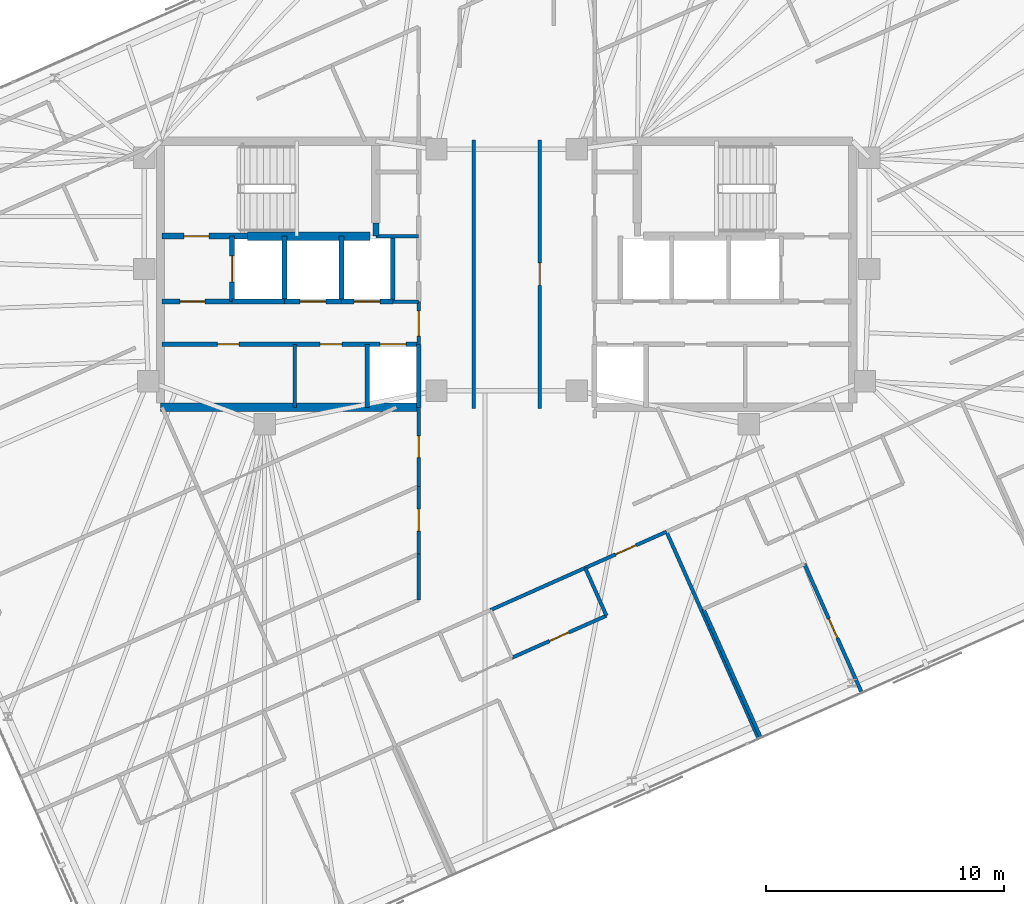
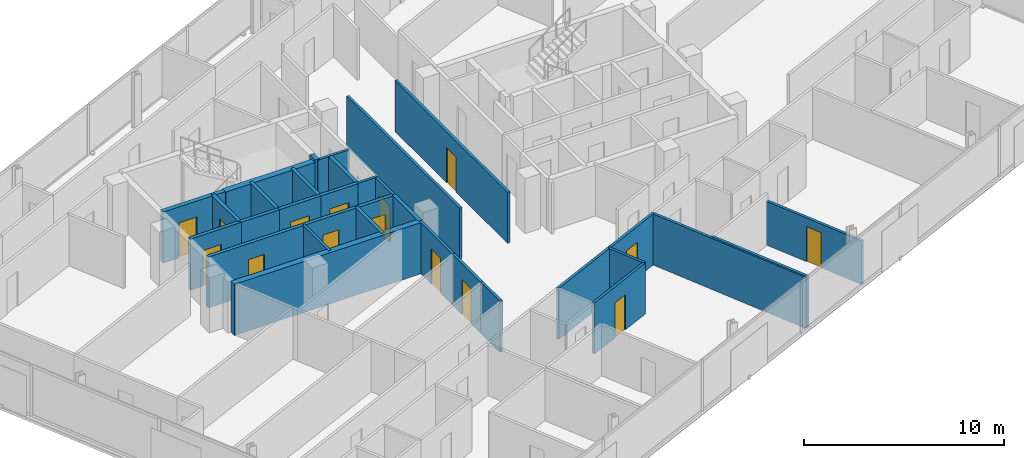
# One storey, part 14 of 19: 31 walls, 15 doors, 15 openings.
"""IFC4 building model written with IfcOpenShell, lengths in metres."""

from ifc_helpers import new_model, si_unit, direction, frame, frame_2d, origin, place, context, subcontext, project, spatial, rectangle, extrude, material, layer, layer_set, type_object, element, fill, save


model = new_model("IFC4")

# Units and contexts
model_context = context("Model", 3, precision=1e-05, world=origin(), true_north=direction((0.0, 1.0)))
body_context = subcontext(model_context, "Body", "Model", "MODEL_VIEW")
ifc_project = project(units=[si_unit("LENGTHUNIT", "METRE"), si_unit("AREAUNIT", "SQUARE_METRE"), si_unit("VOLUMEUNIT", "CUBIC_METRE"), si_unit("PLANEANGLEUNIT", "RADIAN"), si_unit("MASSUNIT", "GRAM", prefix="KILO")], contexts=[model_context])

# Site, building, storey
site_placement = place(None, origin())
site = spatial("IfcSite", under=ifc_project, at=site_placement, CompositionType="ELEMENT")
building_placement = place(site_placement, origin())
building = spatial("IfcBuilding", under=site, at=building_placement, Name="Menara Jurai Vektor", CompositionType="ELEMENT")
storey_placement = place(building_placement, frame((0.0, 0.0, 295.300048828125)))
storey = spatial("IfcBuildingStorey", under=building, at=storey_placement, Name="L79", CompositionType="ELEMENT", Elevation=295.300048828125)

# Wall, opening, door
ifc_material_1 = material(Name="Concrete C40/50", Category="concrete")
ifc_layer_1 = layer(ifc_material_1, 0.25)
ifc_layer_set_1 = layer_set([ifc_layer_1], Name="Concrete C40/50")
wall_type_1 = type_object("IfcWallType", Name="INT-WALL-CORE-250", PredefinedType="STANDARD", material=ifc_layer_set_1)
wall_1_placement = place(storey_placement, frame((-14.5, 1.60009765625, 0.0), z_axis=(0.0, 0.0, 1.0), x_axis=(1.0, 0.0, 0.0)))
wall_1 = element("IfcWall", 1, at=wall_1_placement, inside=storey, type_object=wall_type_1, Name="Interior Wall IW-250 L79", PredefinedType="STANDARD", context=body_context, shape_type="SweptSolid", body=[
    extrude(rectangle(XDim=3.60009765625, YDim=0.25, at=frame_2d((1.800048828125, 0.0))), origin(), (0.0, 0.0, 1.0), 3.125),
])
opening_1_placement = place(wall_1_placement, frame((0.919921875, 0.0, 0.0)))
opening_1 = element("IfcOpeningElement", 2, at=opening_1_placement, cuts=wall_1, Name="Opening D-L79-ST1", PredefinedType="OPENING", context=body_context, shape_type="SweptSolid", body=[
    extrude(rectangle(XDim=1.050048828125, YDim=2.14990234375, at=frame_2d((0.52490234375, 1.074951171875))), frame((0.0, 0.135009765625, 0.0), z_axis=(0.0, -1.0, 0.0), x_axis=(1.0, 0.0, 0.0)), (0.0, 0.0, 1.0), 0.27001953125),
])
ifc_material_2 = material(Name="Fire-Rated Steel Door", Category="steel")
door_type_1 = type_object("IfcDoorType", Name="DR-STAIR-1050", OperationType="NOTDEFINED", PredefinedType="DOOR", material=ifc_material_2)
door_1_placement = place(opening_1_placement, origin())
door_1 = element("IfcDoor", 3, at=door_1_placement, inside=storey, type_object=door_type_1, Name="Exit Stair ST1 Door L79", OperationType="SINGLE_SWING_RIGHT", OverallHeight=2.14990234375, OverallWidth=1.050048828125, PredefinedType="DOOR", context=body_context, shape_type="SweptSolid", body=[
    extrude(rectangle(XDim=1.050048828125, YDim=2.14990234375, at=frame_2d((0.52490234375, 1.074951171875))), frame((0.0, 0.02490234375, 0.0), z_axis=(0.0, -1.0, 0.0), x_axis=(1.0, 0.0, 0.0)), (0.0, 0.0, 1.0), 0.050048828125),
])
fill(opening_1, door_1)

# Wall
wall_2_placement = place(storey_placement, frame((-5.5, 1.60009765625, 0.0), z_axis=(0.0, 0.0, 1.0), x_axis=(0.0, 1.0, 0.0)))
element("IfcWall", 4, at=wall_2_placement, inside=storey, type_object=wall_type_1, Name="Interior Wall IW-250 L79", PredefinedType="STANDARD", context=body_context, shape_type="SweptSolid", body=[
    extrude(rectangle(XDim=0.5498046875, YDim=0.25, at=frame_2d((0.27490234375, 0.0))), origin(), (0.0, 0.0, 1.0), 3.125),
])

# Wall, opening, door
wall_3_placement = place(storey_placement, frame((-11.550048828125, -1.14990234375, 0.0), z_axis=(0.0, 0.0, 1.0), x_axis=(0.0, 1.0, 0.0)))
wall_3 = element("IfcWall", 5, at=wall_3_placement, inside=storey, type_object=wall_type_1, Name="Interior Wall IW-250 L79", PredefinedType="STANDARD", context=body_context, shape_type="SweptSolid", body=[
    extrude(rectangle(XDim=2.75, YDim=0.199951171875, at=frame_2d((1.375, 0.0))), origin(), (0.0, 0.0, 1.0), 3.125),
])
opening_2_placement = place(wall_3_placement, frame((0.824951171875, 0.0, 0.0)))
opening_2 = element("IfcOpeningElement", 6, at=opening_2_placement, cuts=wall_3, Name="Opening LD-L79-FL1", PredefinedType="OPENING", context=body_context, shape_type="SweptSolid", body=[
    extrude(rectangle(XDim=1.10009765625, YDim=2.14990234375, at=frame_2d((0.550048828125, 1.074951171875))), frame((0.0, 0.10986328125, 0.0), z_axis=(0.0, -1.0, 0.0), x_axis=(1.0, 0.0, 0.0)), (0.0, 0.0, 1.0), 0.219970703125),
])
ifc_material_3 = material(Name="Stainless Steel Sliding Lift Landing Door", Category="steel")
door_type_2 = type_object("IfcDoorType", Name="DR-LIFT-FIRE-1100", OperationType="NOTDEFINED", PredefinedType="DOOR", material=ifc_material_3)
door_2_placement = place(opening_2_placement, origin())
door_2 = element("IfcDoor", 7, at=door_2_placement, inside=storey, type_object=door_type_2, Name="Lift Landing Door FL1 L79", OperationType="SLIDING_TO_RIGHT", OverallHeight=2.14990234375, OverallWidth=1.10009765625, PredefinedType="DOOR", context=body_context, shape_type="SweptSolid", body=[
    extrude(rectangle(XDim=1.10009765625, YDim=2.14990234375, at=frame_2d((0.550048828125, 1.074951171875))), frame((0.0, 0.02490234375, 0.0), z_axis=(0.0, -1.0, 0.0), x_axis=(1.0, 0.0, 0.0)), (0.0, 0.0, 1.0), 0.050048828125),
])
fill(opening_2, door_2)

# Wall
wall_4_placement = place(storey_placement, frame((-9.35009765625, -1.14990234375, 0.0), z_axis=(0.0, 0.0, 1.0), x_axis=(0.0, 1.0, 0.0)))
element("IfcWall", 8, at=wall_4_placement, inside=storey, type_object=wall_type_1, Name="Interior Wall IW-250 L79", PredefinedType="STANDARD", context=body_context, shape_type="SweptSolid", body=[
    extrude(rectangle(XDim=2.75, YDim=0.199951171875, at=frame_2d((1.375, 0.0))), origin(), (0.0, 0.0, 1.0), 3.125),
])

# Wall, opening, door
wall_5_placement = place(storey_placement, frame((-14.5, -1.14990234375, 0.0), z_axis=(0.0, 0.0, 1.0), x_axis=(1.0, 0.0, 0.0)))
wall_5 = element("IfcWall", 9, at=wall_5_placement, inside=storey, type_object=wall_type_1, Name="Interior Wall IW-250 L79", PredefinedType="STANDARD", context=body_context, shape_type="SweptSolid", body=[
    extrude(rectangle(XDim=2.949951171875, YDim=0.199951171875, at=frame_2d((1.47509765625, 0.0))), origin(), (0.0, 0.0, 1.0), 3.125),
])
opening_3_placement = place(wall_5_placement, frame((0.75, 0.0, 0.0)))
opening_3 = element("IfcOpeningElement", 10, at=opening_3_placement, cuts=wall_5, Name="Opening D-L79-FFW", PredefinedType="OPENING", context=body_context, shape_type="SweptSolid", body=[
    extrude(rectangle(XDim=1.050048828125, YDim=2.179931640625, at=frame_2d((0.52490234375, 1.08984375))), frame((0.0, 0.10986328125, 0.0), z_axis=(0.0, -1.0, 0.0), x_axis=(1.0, 0.0, 0.0)), (0.0, 0.0, 1.0), 0.219970703125),
])
ifc_material_4 = material(Name="Fire-Rated Timber Door", Category="wood")
door_type_3 = type_object("IfcDoorType", Name="DR-LOBBY-1050", OperationType="NOTDEFINED", PredefinedType="DOOR", material=ifc_material_4)
door_3_placement = place(opening_3_placement, origin())
door_3 = element("IfcDoor", 11, at=door_3_placement, inside=storey, type_object=door_type_3, Name="Fire Lift Lobby Door W L79", OperationType="SINGLE_SWING_RIGHT", OverallHeight=2.179931640625, OverallWidth=1.050048828125, PredefinedType="DOOR", context=body_context, shape_type="SweptSolid", body=[
    extrude(rectangle(XDim=1.050048828125, YDim=2.179931640625, at=frame_2d((0.52490234375, 1.08984375))), frame((0.0, 0.02490234375, 0.0), z_axis=(0.0, -1.0, 0.0), x_axis=(1.0, 0.0, 0.0)), (0.0, 0.0, 1.0), 0.050048828125),
])
fill(opening_3, door_3)

# Wall
wall_6_placement = place(storey_placement, frame((-11.550048828125, -1.14990234375, 0.0), z_axis=(0.0, 0.0, 1.0), x_axis=(1.0, 0.0, 0.0)))
element("IfcWall", 12, at=wall_6_placement, inside=storey, type_object=wall_type_1, Name="Interior Wall IW-250 L79", PredefinedType="STANDARD", context=body_context, shape_type="SweptSolid", body=[
    extrude(rectangle(XDim=2.199951171875, YDim=0.199951171875, at=frame_2d((1.10009765625, 0.0))), origin(), (0.0, 0.0, 1.0), 3.125),
])

# Wall, opening, door
ifc_material_5 = material(Name="Gypsum Fireboard Partition", Category="gypsum")
ifc_layer_2 = layer(ifc_material_5, 0.14990234375)
ifc_layer_set_2 = layer_set([ifc_layer_2], Name="Gypsum Fireboard Partition")
wall_type_2 = type_object("IfcWallType", Name="INT-WALL-CORR-150", PredefinedType="PARTITIONING", material=ifc_layer_set_2)
wall_7_placement = place(storey_placement, frame((-3.699951171875, -2.949951171875, 0.0), z_axis=(0.0, 0.0, 1.0), x_axis=(0.0, 1.0, 0.0)))
wall_7 = element("IfcWall", 13, at=wall_7_placement, inside=storey, type_object=wall_type_2, Name="Interior Wall IW-150 L79", PredefinedType="PARTITIONING", context=body_context, shape_type="SweptSolid", body=[
    extrude(rectangle(XDim=1.800048828125, YDim=0.14990234375, at=frame_2d((0.89990234375, 0.0))), origin(), (0.0, 0.0, 1.0), 3.125),
])
opening_4_placement = place(wall_7_placement, frame((0.35009765625, 0.0, 0.0)))
opening_4 = element("IfcOpeningElement", 14, at=opening_4_placement, cuts=wall_7, Name="Opening D-L79-LLW", PredefinedType="OPENING", context=body_context, shape_type="SweptSolid", body=[
    extrude(rectangle(XDim=1.050048828125, YDim=2.179931640625, at=frame_2d((0.52490234375, 1.08984375))), frame((0.0, 0.0849609375, 0.0), z_axis=(0.0, -1.0, 0.0), x_axis=(1.0, 0.0, 0.0)), (0.0, 0.0, 1.0), 0.169921875),
])
door_4_placement = place(opening_4_placement, origin())
door_4 = element("IfcDoor", 15, at=door_4_placement, inside=storey, type_object=door_type_3, Name="Lift Lobby Corridor Door W L79", OperationType="SINGLE_SWING_LEFT", OverallHeight=2.179931640625, OverallWidth=1.050048828125, PredefinedType="DOOR", context=body_context, shape_type="SweptSolid", body=[
    extrude(rectangle(XDim=1.050048828125, YDim=2.179931640625, at=frame_2d((0.52490234375, 1.08984375))), frame((0.0, 0.02490234375, 0.0), z_axis=(0.0, -1.0, 0.0), x_axis=(1.0, 0.0, 0.0)), (0.0, 0.0, 1.0), 0.050048828125),
])
fill(opening_4, door_4)

# Walls
wall_8_placement = place(storey_placement, frame((-4.7900390625, -1.14990234375, 0.0), z_axis=(0.0, 0.0, 1.0), x_axis=(1.0, 0.0, 0.0)))
element("IfcWall", 16, at=wall_8_placement, inside=storey, type_object=wall_type_2, Name="Interior Wall IW-150 L79", PredefinedType="PARTITIONING", context=body_context, shape_type="SweptSolid", body=[
    extrude(rectangle(XDim=1.090087890625, YDim=0.14990234375, at=frame_2d((0.544921875, 0.0))), origin(), (0.0, 0.0, 1.0), 3.125),
])
wall_9_placement = place(storey_placement, frame((-8.919921875, -5.60009765625, 0.0), z_axis=(0.0, 0.0, 1.0), x_axis=(0.0, 1.0, 0.0)))
element("IfcWall", 17, at=wall_9_placement, inside=storey, type_object=wall_type_2, Name="Interior Wall IW-150 L79", PredefinedType="PARTITIONING", context=body_context, shape_type="SweptSolid", body=[
    extrude(rectangle(XDim=2.650146484375, YDim=0.14990234375, at=frame_2d((1.3251953125, 0.0))), origin(), (0.0, 0.0, 1.0), 3.125),
])
wall_10_placement = place(storey_placement, frame((-5.5, 1.60009765625, 0.0), z_axis=(0.0, 0.0, 1.0), x_axis=(1.0, 0.0, 0.0)))
element("IfcWall", 18, at=wall_10_placement, inside=storey, type_object=wall_type_2, Name="Interior Wall IW-150 L79", PredefinedType="PARTITIONING", context=body_context, shape_type="SweptSolid", body=[
    extrude(rectangle(XDim=1.800048828125, YDim=0.14990234375, at=frame_2d((0.89990234375, 0.0))), origin(), (0.0, 0.0, 1.0), 3.125),
])
wall_11_placement = place(storey_placement, frame((-1.390869140625, -5.64990234375, 0.0), z_axis=(0.0, 0.0, 1.0), x_axis=(-2.1605738e-05, 0.999999999767, 0.0)))
element("IfcWall", 19, at=wall_11_placement, inside=storey, type_object=wall_type_2, Name="Interior Wall IW-150 L79", PredefinedType="PARTITIONING", context=body_context, shape_type="SweptSolid", body=[
    extrude(rectangle(XDim=11.2998046875, YDim=0.14990234375, at=frame_2d((5.64990234375, 0.0))), origin(), (0.0, 0.0, 1.0), 3.125),
])

# Wall, opening, door
wall_12_placement = place(storey_placement, frame((1.390869140625, -5.650390625, 0.0), z_axis=(0.0, 0.0, 1.0), x_axis=(4.3206809e-05, 0.999999999067, 0.0)))
wall_12 = element("IfcWall", 20, at=wall_12_placement, inside=storey, type_object=wall_type_2, Name="Interior Wall IW-150 L79", PredefinedType="PARTITIONING", context=body_context, shape_type="SweptSolid", body=[
    extrude(rectangle(XDim=11.301025390625, YDim=0.14990234375, at=frame_2d((5.650390625, 0.0))), origin(), (0.0, 0.0, 1.0), 3.125),
])
opening_5_placement = place(wall_12_placement, frame((5.175537109375, 0.0, 0.0)))
opening_5 = element("IfcOpeningElement", 21, at=opening_5_placement, cuts=wall_12, Name="Opening D79-08", PredefinedType="OPENING", context=body_context, shape_type="SweptSolid", body=[
    extrude(rectangle(XDim=0.949951171875, YDim=2.14990234375, at=frame_2d((0.47509765625, 1.074951171875))), frame((0.0, 0.0849609375, 0.0), z_axis=(0.0, -1.0, 0.0), x_axis=(1.0, 0.0, 0.0)), (0.0, 0.0, 1.0), 0.169921875),
])
ifc_material_6 = material(Name="Solid Core Timber Fire Door", Category="wood")
door_type_4 = type_object("IfcDoorType", Name="DR-ENTRY-950", OperationType="NOTDEFINED", PredefinedType="DOOR", material=ifc_material_6)
door_5_placement = place(opening_5_placement, origin())
door_5 = element("IfcDoor", 22, at=door_5_placement, inside=storey, type_object=door_type_4, Name="Interior Door D79-08", OperationType="SINGLE_SWING_LEFT", OverallHeight=2.14990234375, OverallWidth=0.949951171875, PredefinedType="DOOR", context=body_context, shape_type="SweptSolid", body=[
    extrude(rectangle(XDim=0.949951171875, YDim=2.14990234375, at=frame_2d((0.47509765625, 1.074951171875))), frame((0.0, 0.02490234375, 0.0), z_axis=(0.0, -1.0, 0.0), x_axis=(1.0, 0.0, 0.0)), (0.0, 0.0, 1.0), 0.050048828125),
])
fill(opening_5, door_5)

wall_13_placement = place(storey_placement, frame((3.306396484375, -12.357177734375, 0.0), z_axis=(0.0, 0.0, 1.0), x_axis=(0.913550513402, 0.406725287464, 0.0)))
wall_13 = element("IfcWall", 23, at=wall_13_placement, inside=storey, type_object=wall_type_2, Name="Interior Wall IW-150 L79", PredefinedType="PARTITIONING", context=body_context, shape_type="SweptSolid", body=[
    extrude(rectangle(XDim=3.743896484375, YDim=0.14990234375, at=frame_2d((1.8720703125, 0.0))), origin(), (0.0, 0.0, 1.0), 3.125),
])
opening_6_placement = place(wall_13_placement, frame((1.39697265625, 0.0, 0.0)))
opening_6 = element("IfcOpeningElement", 24, at=opening_6_placement, cuts=wall_13, Name="Opening D79-19", PredefinedType="OPENING", context=body_context, shape_type="SweptSolid", body=[
    extrude(rectangle(XDim=0.949951171875, YDim=2.14990234375, at=frame_2d((0.47509765625, 1.074951171875))), frame((0.0, 0.0849609375, 0.0), z_axis=(0.0, -1.0, 0.0), x_axis=(1.0, 0.0, 0.0)), (0.0, 0.0, 1.0), 0.169921875),
])
door_6_placement = place(opening_6_placement, origin())
door_6 = element("IfcDoor", 25, at=door_6_placement, inside=storey, type_object=door_type_4, Name="Interior Door D79-19", OperationType="SINGLE_SWING_RIGHT", OverallHeight=2.14990234375, OverallWidth=0.949951171875, PredefinedType="DOOR", context=body_context, shape_type="SweptSolid", body=[
    extrude(rectangle(XDim=0.949951171875, YDim=2.14990234375, at=frame_2d((0.47509765625, 1.074951171875))), frame((0.0, 0.02490234375, 0.0), z_axis=(0.0, -1.0, 0.0), x_axis=(1.0, 0.0, 0.0)), (0.0, 0.0, 1.0), 0.050048828125),
])
fill(opening_6, door_6)

# Walls
wall_14_placement = place(storey_placement, frame((-0.66748046875, -14.12646484375, 0.0), z_axis=(0.0, 0.0, 1.0), x_axis=(0.913545193015, 0.406737237438, 0.0)))
element("IfcWall", 26, at=wall_14_placement, inside=storey, type_object=wall_type_2, Name="Interior Wall IW-150 L79", PredefinedType="PARTITIONING", context=body_context, shape_type="SweptSolid", body=[
    extrude(rectangle(XDim=4.349853515625, YDim=0.14990234375, at=frame_2d((2.1748046875, 0.0))), origin(), (0.0, 0.0, 1.0), 3.125),
])
wall_15_placement = place(storey_placement, frame((-3.699951171875, -13.703369140625, 0.0), z_axis=(0.0, 0.0, 1.0), x_axis=(0.000126055716, 0.999999992055, 0.0)))
element("IfcWall", 27, at=wall_15_placement, inside=storey, type_object=wall_type_2, Name="Interior Wall IW-150 L79", PredefinedType="PARTITIONING", context=body_context, shape_type="SweptSolid", body=[
    extrude(rectangle(XDim=1.936767578125, YDim=0.14990234375, at=frame_2d((0.96826171875, 0.0))), origin(), (0.0, 0.0, 1.0), 3.125),
])

# Wall, opening, door
wall_16_placement = place(storey_placement, frame((-3.69970703125, -11.7666015625, 0.0), z_axis=(0.0, 0.0, 1.0), x_axis=(-0.000171850831, 0.999999985234, 0.0)))
wall_16 = element("IfcWall", 28, at=wall_16_placement, inside=storey, type_object=wall_type_2, Name="Interior Wall IW-150 L79", PredefinedType="PARTITIONING", context=body_context, shape_type="SweptSolid", body=[
    extrude(rectangle(XDim=2.84130859375, YDim=0.14990234375, at=frame_2d((1.420654296875, 0.0))), origin(), (0.0, 0.0, 1.0), 3.125),
])
opening_7_placement = place(wall_16_placement, frame((0.960693359375, 0.0, 0.0)))
opening_7 = element("IfcOpeningElement", 29, at=opening_7_placement, cuts=wall_16, Name="Opening D79-38", PredefinedType="OPENING", context=body_context, shape_type="SweptSolid", body=[
    extrude(rectangle(XDim=0.919921875, YDim=2.14990234375, at=frame_2d((0.4599609375, 1.074951171875))), frame((0.0, 0.0849609375, 0.0), z_axis=(0.0, -1.0, 0.0), x_axis=(1.0, 0.0, 0.0)), (0.0, 0.0, 1.0), 0.169921875),
])
door_7_placement = place(opening_7_placement, origin())
door_7 = element("IfcDoor", 30, at=door_7_placement, inside=storey, type_object=door_type_4, Name="Interior Door D79-38", OperationType="SINGLE_SWING_LEFT", OverallHeight=2.14990234375, OverallWidth=0.919921875, PredefinedType="DOOR", context=body_context, shape_type="SweptSolid", body=[
    extrude(rectangle(XDim=0.919921875, YDim=2.14990234375, at=frame_2d((0.4599609375, 1.074951171875))), frame((0.0, 0.02490234375, 0.0), z_axis=(0.0, -1.0, 0.0), x_axis=(1.0, 0.0, 0.0)), (0.0, 0.0, 1.0), 0.050048828125),
])
fill(opening_7, door_7)

wall_17_placement = place(storey_placement, frame((-3.7001953125, -8.92529296875, 0.0), z_axis=(0.0, 0.0, 1.0), x_axis=(7.3410659e-05, 0.999999997305, 0.0)))
wall_17 = element("IfcWall", 31, at=wall_17_placement, inside=storey, type_object=wall_type_2, Name="Interior Wall IW-150 L79", PredefinedType="PARTITIONING", context=body_context, shape_type="SweptSolid", body=[
    extrude(rectangle(XDim=3.32568359375, YDim=0.14990234375, at=frame_2d((1.662841796875, 0.0))), origin(), (0.0, 0.0, 1.0), 3.125),
])
opening_8_placement = place(wall_17_placement, frame((1.202880859375, 0.0, 0.0)))
opening_8 = element("IfcOpeningElement", 32, at=opening_8_placement, cuts=wall_17, Name="Opening D79-39", PredefinedType="OPENING", context=body_context, shape_type="SweptSolid", body=[
    extrude(rectangle(XDim=0.919921875, YDim=2.14990234375, at=frame_2d((0.4599609375, 1.074951171875))), frame((0.0, 0.0849609375, 0.0), z_axis=(0.0, -1.0, 0.0), x_axis=(1.0, 0.0, 0.0)), (0.0, 0.0, 1.0), 0.169921875),
])
door_8_placement = place(opening_8_placement, origin())
door_8 = element("IfcDoor", 33, at=door_8_placement, inside=storey, type_object=door_type_4, Name="Interior Door D79-39", OperationType="SINGLE_SWING_RIGHT", OverallHeight=2.14990234375, OverallWidth=0.919921875, PredefinedType="DOOR", context=body_context, shape_type="SweptSolid", body=[
    extrude(rectangle(XDim=0.919921875, YDim=2.14990234375, at=frame_2d((0.4599609375, 1.074951171875))), frame((0.0, 0.02490234375, 0.0), z_axis=(0.0, -1.0, 0.0), x_axis=(1.0, 0.0, 0.0)), (0.0, 0.0, 1.0), 0.050048828125),
])
fill(opening_8, door_8)

wall_18_placement = place(storey_placement, frame((0.227294921875, -16.13623046875, 0.0), z_axis=(0.0, 0.0, 1.0), x_axis=(0.913545193015, 0.406737237438, 0.0)))
wall_18 = element("IfcWall", 34, at=wall_18_placement, inside=storey, type_object=wall_type_2, Name="Interior Wall IW-150 L79", PredefinedType="PARTITIONING", context=body_context, shape_type="SweptSolid", body=[
    extrude(rectangle(XDim=4.349853515625, YDim=0.14990234375, at=frame_2d((2.1748046875, 0.0))), origin(), (0.0, 0.0, 1.0), 3.125),
])
opening_9_placement = place(wall_18_placement, frame((1.72509765625, 0.0, 0.0)))
opening_9 = element("IfcOpeningElement", 35, at=opening_9_placement, cuts=wall_18, Name="Opening D79-21", PredefinedType="OPENING", context=body_context, shape_type="SweptSolid", body=[
    extrude(rectangle(XDim=0.89990234375, YDim=2.14990234375, at=frame_2d((0.449951171875, 1.074951171875))), frame((0.0, 0.0849609375, 0.0), z_axis=(0.0, -1.0, 0.0), x_axis=(1.0, 0.0, 0.0)), (0.0, 0.0, 1.0), 0.169921875),
])
ifc_material_7 = material(Name="Acoustic Timber Interior Door", Category="wood")
door_type_5 = type_object("IfcDoorType", Name="DR-ROOM-900", OperationType="NOTDEFINED", PredefinedType="DOOR", material=ifc_material_7)
door_9_placement = place(opening_9_placement, origin())
door_9 = element("IfcDoor", 36, at=door_9_placement, inside=storey, type_object=door_type_5, Name="Interior Door D79-21", OperationType="SINGLE_SWING_RIGHT", OverallHeight=2.14990234375, OverallWidth=0.89990234375, PredefinedType="DOOR", context=body_context, shape_type="SweptSolid", body=[
    extrude(rectangle(XDim=0.89990234375, YDim=2.14990234375, at=frame_2d((0.449951171875, 1.074951171875))), frame((0.0, 0.02490234375, 0.0), z_axis=(0.0, -1.0, 0.0), x_axis=(1.0, 0.0, 0.0)), (0.0, 0.0, 1.0), 0.050048828125),
])
fill(opening_9, door_9)

# Walls
wall_19_placement = place(storey_placement, frame((4.201171875, -14.366943359375, 0.0), z_axis=(0.0, 0.0, 1.0), x_axis=(-0.406725294076, 0.913550510459, 0.0)))
element("IfcWall", 37, at=wall_19_placement, inside=storey, type_object=wall_type_2, Name="Interior Wall IW-150 L79", PredefinedType="PARTITIONING", context=body_context, shape_type="SweptSolid", body=[
    extrude(rectangle(XDim=2.199951171875, YDim=0.14990234375, at=frame_2d((1.10009765625, 0.0))), origin(), (0.0, 0.0, 1.0), 3.125),
])
wall_20_placement = place(storey_placement, frame((10.60498046875, -19.544921875, 0.0), z_axis=(0.0, 0.0, 1.0), x_axis=(-0.406760810574, 0.913534697196, 0.0)))
element("IfcWall", 38, at=wall_20_placement, inside=storey, type_object=wall_type_2, Name="Interior Wall IW-150 L79", PredefinedType="PARTITIONING", context=body_context, shape_type="SweptSolid", body=[
    extrude(rectangle(XDim=9.534912109375, YDim=0.14990234375, at=frame_2d((4.767578125, 0.0))), origin(), (0.0, 0.0, 1.0), 3.125),
])
wall_21_placement = place(storey_placement, frame((10.6962890625, -19.50439453125, 0.0), z_axis=(0.0, 0.0, 1.0), x_axis=(-0.406749048544, 0.913539934271, 0.0)))
element("IfcWall", 39, at=wall_21_placement, inside=storey, type_object=wall_type_2, Name="Interior Wall IW-150 L79", PredefinedType="PARTITIONING", context=body_context, shape_type="SweptSolid", body=[
    extrude(rectangle(XDim=5.93505859375, YDim=0.14990234375, at=frame_2d((2.967529296875, 0.0))), origin(), (0.0, 0.0, 1.0), 3.125),
])

# Wall, opening, door
ifc_layer_3 = layer(ifc_material_5, 0.14990234375)
ifc_layer_set_3 = layer_set([ifc_layer_3], Name="Gypsum Fireboard Partition")
wall_type_3 = type_object("IfcWallType", Name="INT-WALL-CORR-150-H1", PredefinedType="PARTITIONING", material=ifc_layer_set_3)
wall_22_placement = place(storey_placement, frame((14.944091796875, -17.613037109375, 0.0), z_axis=(0.0, 0.0, 1.0), x_axis=(-0.406714717734, 0.913555219119, 0.0)))
wall_22 = element("IfcWall", 40, at=wall_22_placement, inside=storey, type_object=wall_type_3, Name="Interior Wall IW-150 L79", PredefinedType="PARTITIONING", context=body_context, shape_type="SweptSolid", body=[
    extrude(rectangle(XDim=5.934814453125, YDim=0.14990234375, at=frame_2d((2.96728515625, 0.0))), origin(), (0.0, 0.0, 1.0), 2.675048828125),
])
opening_10_placement = place(wall_22_placement, frame((2.517578125, 0.0, 0.0)))
opening_10 = element("IfcOpeningElement", 41, at=opening_10_placement, cuts=wall_22, Name="Opening D79-26", PredefinedType="OPENING", context=body_context, shape_type="SweptSolid", body=[
    extrude(rectangle(XDim=0.89990234375, YDim=2.14990234375, at=frame_2d((0.449951171875, 1.074951171875))), frame((0.0, 0.0849609375, 0.0), z_axis=(0.0, -1.0, 0.0), x_axis=(1.0, 0.0, 0.0)), (0.0, 0.0, 1.0), 0.169921875),
])
door_10_placement = place(opening_10_placement, origin())
door_10 = element("IfcDoor", 42, at=door_10_placement, inside=storey, type_object=door_type_5, Name="Interior Door D79-26", OperationType="SINGLE_SWING_LEFT", OverallHeight=2.14990234375, OverallWidth=0.89990234375, PredefinedType="DOOR", context=body_context, shape_type="SweptSolid", body=[
    extrude(rectangle(XDim=0.89990234375, YDim=2.14990234375, at=frame_2d((0.449951171875, 1.074951171875))), frame((0.0, 0.02490234375, 0.0), z_axis=(0.0, -1.0, 0.0), x_axis=(1.0, 0.0, 0.0)), (0.0, 0.0, 1.0), 0.050048828125),
])
fill(opening_10, door_10)

# Walls
ifc_layer_4 = layer(ifc_material_1, 0.199951171875)
ifc_layer_set_4 = layer_set([ifc_layer_4], Name="Concrete C40/50")
wall_type_4 = type_object("IfcWallType", Name="INT-WALL-SHAFT-200", PredefinedType="STANDARD", material=ifc_layer_set_4)
wall_23_placement = place(storey_placement, frame((-3.699951171875, -5.60009765625, 0.0), z_axis=(0.0, 0.0, 1.0), x_axis=(0.0, 1.0, 0.0)))
element("IfcWall", 43, at=wall_23_placement, inside=storey, type_object=wall_type_4, Name="Interior Wall IW-200 L79", PredefinedType="STANDARD", context=body_context, shape_type="SweptSolid", body=[
    extrude(rectangle(XDim=2.650146484375, YDim=0.199951171875, at=frame_2d((1.3251953125, 0.0))), origin(), (0.0, 0.0, 1.0), 3.125),
])
wall_24_placement = place(storey_placement, frame((-6.949951171875, -1.14990234375, 0.0), z_axis=(0.0, 0.0, 1.0), x_axis=(0.0, 1.0, 0.0)))
element("IfcWall", 44, at=wall_24_placement, inside=storey, type_object=wall_type_4, Name="Interior Wall IW-200 L79", PredefinedType="STANDARD", context=body_context, shape_type="SweptSolid", body=[
    extrude(rectangle(XDim=2.75, YDim=0.199951171875, at=frame_2d((1.375, 0.0))), origin(), (0.0, 0.0, 1.0), 3.125),
])

# Wall, opening, door
wall_25_placement = place(storey_placement, frame((-9.35009765625, -1.14990234375, 0.0), z_axis=(0.0, 0.0, 1.0), x_axis=(1.0, 0.0, 0.0)))
wall_25 = element("IfcWall", 45, at=wall_25_placement, inside=storey, type_object=wall_type_4, Name="Interior Wall IW-200 L79", PredefinedType="STANDARD", context=body_context, shape_type="SweptSolid", body=[
    extrude(rectangle(XDim=2.400146484375, YDim=0.199951171875, at=frame_2d((1.2001953125, 0.0))), origin(), (0.0, 0.0, 1.0), 3.125),
])
opening_11_placement = place(wall_25_placement, frame((0.64990234375, 0.0, 0.0)))
opening_11 = element("IfcOpeningElement", 46, at=opening_11_placement, cuts=wall_25, Name="Opening LD-L79-SVL1", PredefinedType="OPENING", context=body_context, shape_type="SweptSolid", body=[
    extrude(rectangle(XDim=1.10009765625, YDim=2.14990234375, at=frame_2d((0.550048828125, 1.074951171875))), frame((0.0, 0.10986328125, 0.0), z_axis=(0.0, -1.0, 0.0), x_axis=(1.0, 0.0, 0.0)), (0.0, 0.0, 1.0), 0.219970703125),
])
ifc_material_8 = material(Name="Anodised Stainless Sliding Lift Landing Door", Category="steel")
door_type_6 = type_object("IfcDoorType", Name="DR-LIFT-PASS-1100", OperationType="NOTDEFINED", PredefinedType="DOOR", material=ifc_material_8)
door_11_placement = place(opening_11_placement, origin())
door_11 = element("IfcDoor", 47, at=door_11_placement, inside=storey, type_object=door_type_6, Name="Lift Landing Door SVL1 L79", OperationType="SLIDING_TO_RIGHT", OverallHeight=2.14990234375, OverallWidth=1.10009765625, PredefinedType="DOOR", context=body_context, shape_type="SweptSolid", body=[
    extrude(rectangle(XDim=1.10009765625, YDim=2.14990234375, at=frame_2d((0.550048828125, 1.074951171875))), frame((0.0, 0.02490234375, 0.0), z_axis=(0.0, -1.0, 0.0), x_axis=(1.0, 0.0, 0.0)), (0.0, 0.0, 1.0), 0.050048828125),
])
fill(opening_11, door_11)

# Wall
wall_26_placement = place(storey_placement, frame((-4.7900390625, -1.14990234375, 0.0), z_axis=(0.0, 0.0, 1.0), x_axis=(0.0, 1.0, 0.0)))
element("IfcWall", 48, at=wall_26_placement, inside=storey, type_object=wall_type_4, Name="Interior Wall IW-200 L79", PredefinedType="STANDARD", context=body_context, shape_type="SweptSolid", body=[
    extrude(rectangle(XDim=2.75, YDim=0.199951171875, at=frame_2d((1.375, 0.0))), origin(), (0.0, 0.0, 1.0), 3.125),
])

# Wall, opening, door
wall_27_placement = place(storey_placement, frame((-6.949951171875, -1.14990234375, 0.0), z_axis=(0.0, 0.0, 1.0), x_axis=(1.0, 0.0, 0.0)))
wall_27 = element("IfcWall", 49, at=wall_27_placement, inside=storey, type_object=wall_type_4, Name="Interior Wall IW-200 L79", PredefinedType="STANDARD", context=body_context, shape_type="SweptSolid", body=[
    extrude(rectangle(XDim=2.159912109375, YDim=0.199951171875, at=frame_2d((1.080078125, 0.0))), origin(), (0.0, 0.0, 1.0), 3.125),
])
opening_12_placement = place(wall_27_placement, frame((0.530029296875, 0.0, 0.0)))
opening_12 = element("IfcOpeningElement", 50, at=opening_12_placement, cuts=wall_27, Name="Opening LD-L79-PH2", PredefinedType="OPENING", context=body_context, shape_type="SweptSolid", body=[
    extrude(rectangle(XDim=1.10009765625, YDim=2.14990234375, at=frame_2d((0.550048828125, 1.074951171875))), frame((0.0, 0.10986328125, 0.0), z_axis=(0.0, -1.0, 0.0), x_axis=(1.0, 0.0, 0.0)), (0.0, 0.0, 1.0), 0.219970703125),
])
door_12_placement = place(opening_12_placement, origin())
door_12 = element("IfcDoor", 51, at=door_12_placement, inside=storey, type_object=door_type_6, Name="Lift Landing Door PH2 L79", OperationType="SLIDING_TO_RIGHT", OverallHeight=2.14990234375, OverallWidth=1.10009765625, PredefinedType="DOOR", context=body_context, shape_type="SweptSolid", body=[
    extrude(rectangle(XDim=1.10009765625, YDim=2.14990234375, at=frame_2d((0.550048828125, 1.074951171875))), frame((0.0, 0.02490234375, 0.0), z_axis=(0.0, -1.0, 0.0), x_axis=(1.0, 0.0, 0.0)), (0.0, 0.0, 1.0), 0.050048828125),
])
fill(opening_12, door_12)

# Wall, openings, doors
wall_28_placement = place(storey_placement, frame((-14.5, -2.949951171875, 0.0), z_axis=(0.0, 0.0, 1.0), x_axis=(1.0, 0.0, 0.0)))
wall_28 = element("IfcWall", 52, at=wall_28_placement, inside=storey, type_object=wall_type_4, Name="Interior Wall IW-200 L79", PredefinedType="STANDARD", context=body_context, shape_type="SweptSolid", body=[
    extrude(rectangle(XDim=10.800048828125, YDim=0.199951171875, at=frame_2d((5.39990234375, 0.0))), origin(), (0.0, 0.0, 1.0), 3.125),
])
opening_13_placement = place(wall_28_placement, frame((9.169921875, 0.0, 0.0)))
opening_13 = element("IfcOpeningElement", 53, at=opening_13_placement, cuts=wall_28, Name="Opening LD-L79-PH1", PredefinedType="OPENING", context=body_context, shape_type="SweptSolid", body=[
    extrude(rectangle(XDim=1.10009765625, YDim=2.14990234375, at=frame_2d((0.550048828125, 1.074951171875))), frame((0.0, 0.10986328125, 0.0), z_axis=(0.0, -1.0, 0.0), x_axis=(1.0, 0.0, 0.0)), (0.0, 0.0, 1.0), 0.219970703125),
])
opening_14_placement = place(wall_28_placement, frame((2.330078125, 0.0, 0.0)))
opening_14 = element("IfcOpeningElement", 54, at=opening_14_placement, cuts=wall_28, Name="Opening D79-01", PredefinedType="OPENING", context=body_context, shape_type="SweptSolid", body=[
    extrude(rectangle(XDim=0.919921875, YDim=2.14990234375, at=frame_2d((0.4599609375, 1.074951171875))), frame((0.0, 0.10986328125, 0.0), z_axis=(0.0, -1.0, 0.0), x_axis=(1.0, 0.0, 0.0)), (0.0, 0.0, 1.0), 0.219970703125),
])
opening_15_placement = place(wall_28_placement, frame((6.64990234375, 0.0, 0.0)))
opening_15 = element("IfcOpeningElement", 55, at=opening_15_placement, cuts=wall_28, Name="Opening D79-02", PredefinedType="OPENING", context=body_context, shape_type="SweptSolid", body=[
    extrude(rectangle(XDim=0.919921875, YDim=2.14990234375, at=frame_2d((0.4599609375, 1.074951171875))), frame((0.0, 0.10986328125, 0.0), z_axis=(0.0, -1.0, 0.0), x_axis=(1.0, 0.0, 0.0)), (0.0, 0.0, 1.0), 0.219970703125),
])
door_13_placement = place(opening_14_placement, origin())
door_13 = element("IfcDoor", 56, at=door_13_placement, inside=storey, type_object=door_type_4, Name="Interior Door D79-01", OperationType="SINGLE_SWING_LEFT", OverallHeight=2.14990234375, OverallWidth=0.919921875, PredefinedType="DOOR", context=body_context, shape_type="SweptSolid", body=[
    extrude(rectangle(XDim=0.919921875, YDim=2.14990234375, at=frame_2d((0.4599609375, 1.074951171875))), frame((0.0, 0.02490234375, 0.0), z_axis=(0.0, -1.0, 0.0), x_axis=(1.0, 0.0, 0.0)), (0.0, 0.0, 1.0), 0.050048828125),
])
fill(opening_14, door_13)
door_14_placement = place(opening_15_placement, origin())
door_14 = element("IfcDoor", 57, at=door_14_placement, inside=storey, type_object=door_type_4, Name="Interior Door D79-02", OperationType="SINGLE_SWING_RIGHT", OverallHeight=2.14990234375, OverallWidth=0.919921875, PredefinedType="DOOR", context=body_context, shape_type="SweptSolid", body=[
    extrude(rectangle(XDim=0.919921875, YDim=2.14990234375, at=frame_2d((0.4599609375, 1.074951171875))), frame((0.0, 0.02490234375, 0.0), z_axis=(0.0, -1.0, 0.0), x_axis=(1.0, 0.0, 0.0)), (0.0, 0.0, 1.0), 0.050048828125),
])
fill(opening_15, door_14)
door_15_placement = place(opening_13_placement, origin())
door_15 = element("IfcDoor", 58, at=door_15_placement, inside=storey, type_object=door_type_6, Name="Lift Landing Door PH1 L79", OperationType="SLIDING_TO_RIGHT", OverallHeight=2.14990234375, OverallWidth=1.10009765625, PredefinedType="DOOR", context=body_context, shape_type="SweptSolid", body=[
    extrude(rectangle(XDim=1.10009765625, YDim=2.14990234375, at=frame_2d((0.550048828125, 1.074951171875))), frame((0.0, 0.02490234375, 0.0), z_axis=(0.0, -1.0, 0.0), x_axis=(1.0, 0.0, 0.0)), (0.0, 0.0, 1.0), 0.050048828125),
])
fill(opening_13, door_15)

# Walls
wall_29_placement = place(storey_placement, frame((-5.860107421875, -5.60009765625, 0.0), z_axis=(0.0, 0.0, 1.0), x_axis=(0.0, 1.0, 0.0)))
element("IfcWall", 59, at=wall_29_placement, inside=storey, type_object=wall_type_4, Name="Interior Wall IW-200 L79", PredefinedType="STANDARD", context=body_context, shape_type="SweptSolid", body=[
    extrude(rectangle(XDim=2.650146484375, YDim=0.199951171875, at=frame_2d((1.3251953125, 0.0))), origin(), (0.0, 0.0, 1.0), 3.125),
])
ifc_material_9 = material(Name="Concrete C50/60", Category="concrete")
ifc_layer_5 = layer(ifc_material_9, 0.35009765625)
ifc_layer_set_5 = layer_set([ifc_layer_5], Name="Concrete C50/60")
wall_type_5 = type_object("IfcWallType", Name="STR-WALL-CORE350", PredefinedType="SHEAR", material=ifc_layer_set_5)
wall_30_placement = place(storey_placement, frame((-14.56005859375, -5.60009765625, 0.0), z_axis=(0.0, 0.0, 1.0), x_axis=(1.0, 0.0, 0.0)))
element("IfcWall", 60, at=wall_30_placement, inside=storey, type_object=wall_type_5, Name="Core Shear Wall CW-W-S L79", PredefinedType="SHEAR", context=body_context, shape_type="SweptSolid", body=[
    extrude(rectangle(XDim=10.860107421875, YDim=0.35009765625, at=frame_2d((5.43017578125, 0.0))), origin(), (0.0, 0.0, 1.0), 3.125),
])
wall_31_placement = place(storey_placement, frame((-10.89990234375, 1.60009765625, 0.0), z_axis=(0.0, 0.0, 1.0), x_axis=(1.0, 0.0, 0.0)))
element("IfcWall", 61, at=wall_31_placement, inside=storey, type_object=wall_type_5, Name="Core Shear Wall CW-W-STS L79", PredefinedType="SHEAR", context=body_context, shape_type="SweptSolid", body=[
    extrude(rectangle(XDim=5.14990234375, YDim=0.35009765625, at=frame_2d((2.574951171875, 0.0))), origin(), (0.0, 0.0, 1.0), 3.125),
])

save(model, "model.ifc")
